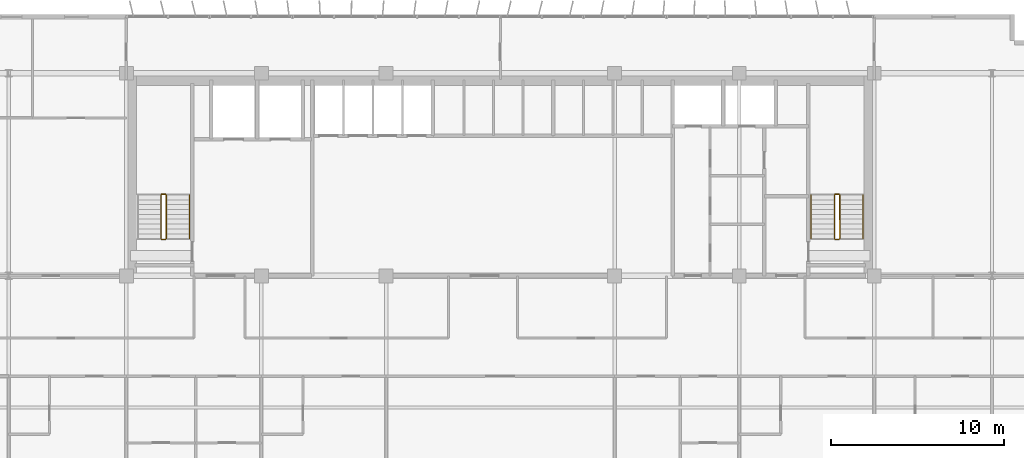
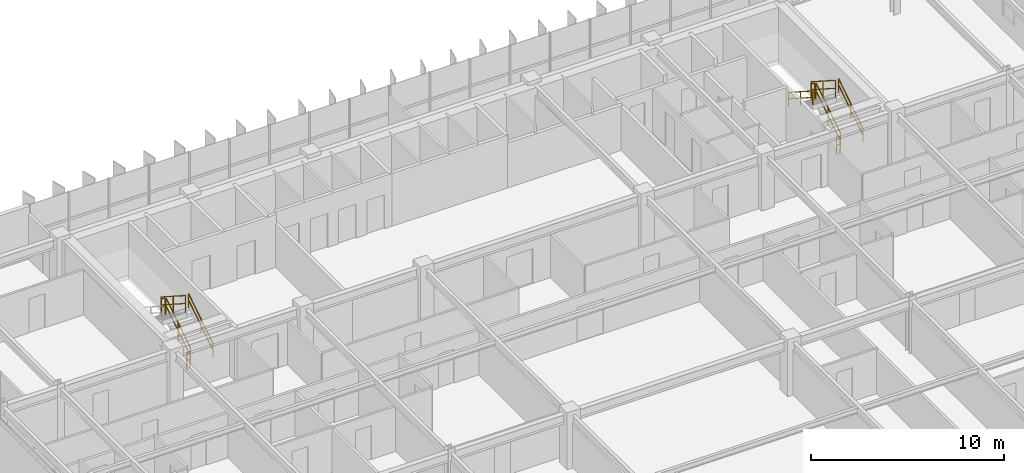
# One storey, part 21 of 22: 11 railings.
"""IFC4 building model written with IfcOpenShell, lengths in metres."""

import ifcopenshell
import ifcopenshell.guid

model = None  # the IFC model being written
_history = None  # IfcOwnerHistory: only IFC2X3 demands one
_inside = {}  # id of a spatial element -> (the spatial element, [elements in it])
_under = {}  # id of a project, library or spatial element -> (it, [spatial elements below it])
_declared = {}  # id of a project -> (the project, [libraries it declares])
_typed = {}  # id of a type object -> (the type object, [elements of that type])
_made_of = {}  # id of a material, layer set ... -> (it, [elements and type objects made of it])


def new_model(schema):
    """Start an empty IFC model of exactly this schema.

    Asked for "IFC4X3", IfcOpenShell would pick the latest addendum, in which some entities
    have other attributes; the version numbers below select the first issue.
    IFC2X3 requires an IfcOwnerHistory on every rooted entity: one is made here for all.
    """
    global model, _history
    if schema == "IFC4X3":
        model = ifcopenshell.file(schema_version=(4, 3, 0, 0))
    else:
        model = ifcopenshell.file(schema=schema)
    _inside.clear()
    _under.clear()
    _declared.clear()
    _typed.clear()
    _made_of.clear()
    _history = None
    if model.schema == "IFC2X3":
        org = make("IfcOrganization", Name="unknown")
        user = make(
            "IfcPersonAndOrganization",
            ThePerson=make("IfcPerson", FamilyName="unknown"),
            TheOrganization=org,
        )
        app = make(
            "IfcApplication",
            ApplicationDeveloper=org,
            Version="unknown",
            ApplicationFullName="unknown",
            ApplicationIdentifier="unknown",
        )
        _history = make(
            "IfcOwnerHistory",
            OwningUser=user,
            OwningApplication=app,
            ChangeAction="ADDED",
            CreationDate=0,
        )
    return model


def make(cls, **values):
    """One entity of the class cls with the attributes given. An attribute that is None is left unset."""
    return model.create_entity(
        cls, **{name: value for name, value in values.items() if value is not None}
    )


def rooted(cls, **values):
    """An entity with a GlobalId (a new one), such as an element, a storey or a relation."""
    return make(cls, GlobalId=ifcopenshell.guid.new(), OwnerHistory=_history, **values)


def si_unit(unit_type, name, prefix=None):
    """IfcSIUnit, for example si_unit("LENGTHUNIT", "METRE", prefix="MILLI")."""
    return make("IfcSIUnit", UnitType=unit_type, Prefix=prefix, Name=name)


def assignment(units):
    """IfcUnitAssignment: the units of a project."""
    return None if units is None else make("IfcUnitAssignment", Units=units)


def point(xyz):
    """IfcCartesianPoint."""
    return None if xyz is None else make("IfcCartesianPoint", Coordinates=xyz)


def direction(xyz):
    """IfcDirection."""
    return None if xyz is None else make("IfcDirection", DirectionRatios=xyz)


def frame(location, z_axis=None, x_axis=None):
    """IfcAxis2Placement3D, a coordinate frame: its origin and axes. An axis left out is left unset."""
    return make(
        "IfcAxis2Placement3D",
        Location=point(location),
        Axis=direction(z_axis),
        RefDirection=direction(x_axis),
    )


def frame_2d(location, x_axis=None):
    """IfcAxis2Placement2D, a coordinate frame in the plane: its origin and x axis."""
    return make(
        "IfcAxis2Placement2D", Location=point(location), RefDirection=direction(x_axis)
    )


def origin():
    """The frame at (0, 0, 0) with its axes left unset."""
    return frame((0.0, 0.0, 0.0))


def origin_2d():
    """The frame at (0, 0) in the plane with its x axis left unset."""
    return frame_2d((0.0, 0.0))


def place(relative_to, where):
    """IfcLocalPlacement: puts the frame where relative to a parent placement (None: the world)."""
    return make(
        "IfcLocalPlacement", PlacementRelTo=relative_to, RelativePlacement=where
    )


def context(
    kind, dimensions, precision=None, world=None, true_north=None, identifier=None
):
    """IfcGeometricRepresentationContext, for example the 3D "Model" context."""
    return make(
        "IfcGeometricRepresentationContext",
        ContextIdentifier=identifier,
        ContextType=kind,
        CoordinateSpaceDimension=dimensions,
        Precision=precision,
        WorldCoordinateSystem=world,
        TrueNorth=true_north,
    )


def subcontext(parent, identifier, kind, view, scale=None):
    """IfcGeometricRepresentationSubContext, for example "Body" below "Model"."""
    return make(
        "IfcGeometricRepresentationSubContext",
        ContextIdentifier=identifier,
        ContextType=kind,
        ParentContext=parent,
        TargetScale=scale,
        TargetView=view,
    )


def project(units=None, contexts=None):
    """IfcProject with its units and contexts."""
    return rooted(
        "IfcProject",
        Name="project",
        RepresentationContexts=contexts,
        UnitsInContext=assignment(units),
    )


def spatial(cls, under=None, at=None, **own):
    """A site, building, storey or space (cls), placed at a placement, below another one or the project."""
    s = rooted(cls, ObjectPlacement=at, **own)
    if under is not None:
        _under.setdefault(under.id(), (under, []))[1].append(s)
    return s


def profile(cls, at=None, kind="AREA", **sizes):
    """A parametric profile (cls). Its sizes go by their IFC names, for example OverallWidth=200.0."""
    return make(cls, ProfileType=kind, Position=at, **sizes)


def rectangle(**sizes):
    """IfcRectangleProfileDef."""
    return profile("IfcRectangleProfileDef", **sizes)


def extrude(swept, where, along, depth):
    """IfcExtrudedAreaSolid: the profile swept, set in the frame where, extruded along a direction by depth."""
    return make(
        "IfcExtrudedAreaSolid",
        SweptArea=swept,
        Position=where,
        ExtrudedDirection=direction(along),
        Depth=depth,
    )


def shape(context_of_items, identifier, shape_type, items):
    """IfcShapeRepresentation: the items that make up one representation, for example the "Body"."""
    return make(
        "IfcShapeRepresentation",
        ContextOfItems=context_of_items,
        RepresentationIdentifier=identifier,
        RepresentationType=shape_type,
        Items=items,
    )


def material(Name=None, Category=None):
    """IfcMaterial."""
    return make("IfcMaterial", Name=Name, Category=Category)


def made_of(thing, what):
    """Note that an element or type object is made of a material, layer set ...; save() writes the relation."""
    if what is not None:
        _made_of.setdefault(what.id(), (what, []))[1].append(thing)
    return thing


def type_object(cls, material=None, **own):
    """A type object (cls), such as IfcWallType, which elements share."""
    return made_of(rooted(cls, **own), material)


def element(
    cls,
    number,
    at=None,
    inside=None,
    cuts=None,
    type_object=None,
    material=None,
    context=None,
    identifier="Body",
    shape_type=None,
    held_by="IfcProductDefinitionShape",
    body=None,
    shapes=None,
    **own,
):
    """One element of the class cls, such as IfcWall. Its Tag is "e" and its number.

    at: its placement. inside: the storey or other place that contains it. cuts: it is an
    opening in that element (IfcRelVoidsElement). A single representation is given by context,
    identifier, shape_type and body (its items); several are given by shapes. held_by: the class
    of the entity that holds the representations. save() writes the other relations.
    """
    e = rooted(cls, Tag="e%d" % number, ObjectPlacement=at, **own)
    if body is not None:
        shapes = [shape(context, identifier, shape_type, body)]
    if shapes is not None:
        e.Representation = make(held_by, Representations=shapes)
    if inside is not None:
        _inside.setdefault(inside.id(), (inside, []))[1].append(e)
    if cuts is not None:
        rooted(
            "IfcRelVoidsElement", RelatingBuildingElement=cuts, RelatedOpeningElement=e
        )
    if type_object is not None:
        _typed.setdefault(type_object.id(), (type_object, []))[1].append(e)
    return made_of(e, material)


def aggregate(whole, parts):
    """IfcRelAggregates: a whole, such as a stair, and the parts it consists of."""
    return rooted("IfcRelAggregates", RelatingObject=whole, RelatedObjects=parts)


def save(model, path):
    """Write the relations noted so far, then the file.

    IfcRelAggregates (storeys below a building ...), IfcRelContainedInSpatialStructure (elements
    in a storey), IfcRelDefinesByType, IfcRelAssociatesMaterial and IfcRelDeclares: one each for
    every whole, place, type object, material and project.
    """
    for whole, parts in _under.values():
        aggregate(whole, parts)
    for where, things in _inside.values():
        rooted(
            "IfcRelContainedInSpatialStructure",
            RelatedElements=things,
            RelatingStructure=where,
        )
    for kind, things in _typed.values():
        rooted("IfcRelDefinesByType", RelatedObjects=things, RelatingType=kind)
    for what, things in _made_of.values():
        rooted("IfcRelAssociatesMaterial", RelatedObjects=things, RelatingMaterial=what)
    for by, libraries in _declared.values():
        rooted("IfcRelDeclares", RelatingContext=by, RelatedDefinitions=libraries)
    model.write(path)


model = new_model("IFC4")

# Units and contexts
model_context = context("Model", 3, precision=1e-05, world=origin(), true_north=direction((0.0, 1.0)))
body_context = subcontext(model_context, "Body", "Model", "MODEL_VIEW")
ifc_project = project(units=[si_unit("LENGTHUNIT", "METRE"), si_unit("AREAUNIT", "SQUARE_METRE"), si_unit("VOLUMEUNIT", "CUBIC_METRE"), si_unit("PLANEANGLEUNIT", "RADIAN"), si_unit("MASSUNIT", "GRAM", prefix="KILO")], contexts=[model_context])

# Site, building, storey
site_placement = place(None, origin())
site = spatial("IfcSite", under=ifc_project, at=site_placement, CompositionType="ELEMENT")
building_placement = place(site_placement, origin())
building = spatial("IfcBuilding", under=site, at=building_placement, Name="Trelvane Seafront Commons", CompositionType="ELEMENT")
storey_placement = place(building_placement, frame((0.0, 0.0, 99.699951171875)))
storey = spatial("IfcBuildingStorey", under=building, at=storey_placement, Name="L25", CompositionType="ELEMENT", Elevation=99.699951171875)

# Railings
ifc_material = material(Name="Stainless steel balustrade", Category="steel")
railing_type_1 = type_object("IfcRailingType", Name="ARCH-SRL-GUARD", PredefinedType="GUARDRAIL", material=ifc_material)
railing_1_placement = place(storey_placement, frame((17.89990234375, 35.550048828125, 0.179931640625)))
element("IfcRailing", 1, at=railing_1_placement, inside=storey, type_object=railing_type_1, Name="L25 ST-1 stair guard 1", PredefinedType="GUARDRAIL", context=body_context, shape_type="SweptSolid", body=[
    extrude(rectangle(XDim=0.048095703125, YDim=0.048095703125, at=origin_2d()), frame((0.0, 0.0, 1.076171875), z_axis=(0.0, 0.841162588446, 0.540782303519), x_axis=(-1.0, 0.0, 0.0)), (0.0, 0.0, 1.0), 2.995849609375),
    extrude(rectangle(XDim=0.048095703125, YDim=0.048095703125, at=origin_2d()), frame((0.0, 0.0, 0.572021484375), z_axis=(0.0, 0.841162588446, 0.540782303519), x_axis=(-1.0, 0.0, 0.0)), (0.0, 0.0, 1.0), 2.995849609375),
    extrude(rectangle(XDim=0.0419921875, YDim=0.0419921875, at=origin_2d()), origin(), (0.0, 0.0, 1.0), 1.076171875),
    extrude(rectangle(XDim=0.0419921875, YDim=0.0419921875, at=origin_2d()), frame((0.0, 1.260009765625, 0.81005859375)), (0.0, 0.0, 1.0), 1.076171875),
    extrude(rectangle(XDim=0.0419921875, YDim=0.0419921875, at=origin_2d()), frame((0.0, 2.52001953125, 1.6201171875)), (0.0, 0.0, 1.0), 1.076171875),
])
railing_2_placement = place(storey_placement, frame((17.85009765625, 38.1201171875, 1.800048828125)))
element("IfcRailing", 2, at=railing_2_placement, inside=storey, type_object=railing_type_1, Name="L25 ST-1 stair guard 2", PredefinedType="GUARDRAIL", context=body_context, shape_type="SweptSolid", body=[
    extrude(rectangle(XDim=0.048095703125, YDim=0.048095703125, at=origin_2d()), frame((0.0, 0.0, 1.076171875), z_axis=(-1.0, 0.0, 0.0), x_axis=(0.0, -1.0, 0.0)), (0.0, 0.0, 1.0), 0.2001953125),
    extrude(rectangle(XDim=0.048095703125, YDim=0.048095703125, at=origin_2d()), frame((0.0, 0.0, 0.572021484375), z_axis=(-1.0, 0.0, 0.0), x_axis=(0.0, -1.0, 0.0)), (0.0, 0.0, 1.0), 0.2001953125),
    extrude(rectangle(XDim=0.0419921875, YDim=0.0419921875, at=origin_2d()), origin(), (0.0, 0.0, 1.0), 1.076171875),
    extrude(rectangle(XDim=0.0419921875, YDim=0.0419921875, at=origin_2d()), frame((-0.2001953125, 0.0, 0.0)), (0.0, 0.0, 1.0), 1.076171875),
])
railing_3_placement = place(storey_placement, frame((17.60009765625, 38.070068359375, 1.97998046875)))
element("IfcRailing", 3, at=railing_3_placement, inside=storey, type_object=railing_type_1, Name="L25 ST-1 stair guard 3", PredefinedType="GUARDRAIL", context=body_context, shape_type="SweptSolid", body=[
    extrude(rectangle(XDim=0.048095703125, YDim=0.048095703125, at=origin_2d()), frame((0.0, 0.0, 1.076171875), z_axis=(0.0, -0.841162588446, 0.540782303519), x_axis=(1.0, 0.0, 0.0)), (0.0, 0.0, 1.0), 2.995849609375),
    extrude(rectangle(XDim=0.048095703125, YDim=0.048095703125, at=origin_2d()), frame((0.0, 0.0, 0.572021484375), z_axis=(0.0, -0.841162588446, 0.540782303519), x_axis=(1.0, 0.0, 0.0)), (0.0, 0.0, 1.0), 2.995849609375),
    extrude(rectangle(XDim=0.0419921875, YDim=0.0419921875, at=origin_2d()), origin(), (0.0, 0.0, 1.0), 1.076171875),
    extrude(rectangle(XDim=0.0419921875, YDim=0.0419921875, at=origin_2d()), frame((0.0, -1.260009765625, 0.81005859375)), (0.0, 0.0, 1.0), 1.076171875),
    extrude(rectangle(XDim=0.0419921875, YDim=0.0419921875, at=origin_2d()), frame((0.0, -2.52001953125, 1.6201171875)), (0.0, 0.0, 1.0), 1.076171875),
])
railing_4_placement = place(storey_placement, frame((17.85009765625, 35.5, 0.0)))
element("IfcRailing", 4, at=railing_4_placement, inside=storey, type_object=railing_type_1, Name="L25 ST-1 stair guard 4", PredefinedType="GUARDRAIL", context=body_context, shape_type="SweptSolid", body=[
    extrude(rectangle(XDim=0.048095703125, YDim=0.048095703125, at=origin_2d()), frame((0.0, 0.0, 1.076171875), z_axis=(-1.0, 0.0, 0.0), x_axis=(0.0, -1.0, 0.0)), (0.0, 0.0, 1.0), 0.2001953125),
    extrude(rectangle(XDim=0.048095703125, YDim=0.048095703125, at=origin_2d()), frame((0.0, 0.0, 0.572021484375), z_axis=(-1.0, 0.0, 0.0), x_axis=(0.0, -1.0, 0.0)), (0.0, 0.0, 1.0), 0.2001953125),
    extrude(rectangle(XDim=0.0419921875, YDim=0.0419921875, at=origin_2d()), origin(), (0.0, 0.0, 1.0), 1.076171875),
    extrude(rectangle(XDim=0.0419921875, YDim=0.0419921875, at=origin_2d()), frame((-0.2001953125, 0.0, 0.0)), (0.0, 0.0, 1.0), 1.076171875),
])
railing_5_placement = place(storey_placement, frame((56.800048828125, 35.550048828125, 0.179931640625)))
element("IfcRailing", 5, at=railing_5_placement, inside=storey, type_object=railing_type_1, Name="L25 ST-2 stair guard 1", PredefinedType="GUARDRAIL", context=body_context, shape_type="SweptSolid", body=[
    extrude(rectangle(XDim=0.048095703125, YDim=0.048095703125, at=origin_2d()), frame((0.0, 0.0, 1.076171875), z_axis=(0.0, 0.841162588446, 0.540782303519), x_axis=(-1.0, 0.0, 0.0)), (0.0, 0.0, 1.0), 2.995849609375),
    extrude(rectangle(XDim=0.048095703125, YDim=0.048095703125, at=origin_2d()), frame((0.0, 0.0, 0.572021484375), z_axis=(0.0, 0.841162588446, 0.540782303519), x_axis=(-1.0, 0.0, 0.0)), (0.0, 0.0, 1.0), 2.995849609375),
    extrude(rectangle(XDim=0.0419921875, YDim=0.0419921875, at=origin_2d()), origin(), (0.0, 0.0, 1.0), 1.076171875),
    extrude(rectangle(XDim=0.0419921875, YDim=0.0419921875, at=origin_2d()), frame((0.0, 1.260009765625, 0.81005859375)), (0.0, 0.0, 1.0), 1.076171875),
    extrude(rectangle(XDim=0.0419921875, YDim=0.0419921875, at=origin_2d()), frame((0.0, 2.52001953125, 1.6201171875)), (0.0, 0.0, 1.0), 1.076171875),
])
railing_6_placement = place(storey_placement, frame((56.75, 38.1201171875, 1.800048828125)))
element("IfcRailing", 6, at=railing_6_placement, inside=storey, type_object=railing_type_1, Name="L25 ST-2 stair guard 2", PredefinedType="GUARDRAIL", context=body_context, shape_type="SweptSolid", body=[
    extrude(rectangle(XDim=0.048095703125, YDim=0.048095703125, at=origin_2d()), frame((0.0, 0.0, 1.076171875), z_axis=(-1.0, 0.0, 0.0), x_axis=(0.0, -1.0, 0.0)), (0.0, 0.0, 1.0), 0.199951171875),
    extrude(rectangle(XDim=0.048095703125, YDim=0.048095703125, at=origin_2d()), frame((0.0, 0.0, 0.572021484375), z_axis=(-1.0, 0.0, 0.0), x_axis=(0.0, -1.0, 0.0)), (0.0, 0.0, 1.0), 0.199951171875),
    extrude(rectangle(XDim=0.0419921875, YDim=0.0419921875, at=origin_2d()), origin(), (0.0, 0.0, 1.0), 1.076171875),
    extrude(rectangle(XDim=0.0419921875, YDim=0.0419921875, at=origin_2d()), frame((-0.199951171875, 0.0, 0.0)), (0.0, 0.0, 1.0), 1.076171875),
])
railing_7_placement = place(storey_placement, frame((56.5, 38.070068359375, 1.97998046875)))
element("IfcRailing", 7, at=railing_7_placement, inside=storey, type_object=railing_type_1, Name="L25 ST-2 stair guard 3", PredefinedType="GUARDRAIL", context=body_context, shape_type="SweptSolid", body=[
    extrude(rectangle(XDim=0.048095703125, YDim=0.048095703125, at=origin_2d()), frame((0.0, 0.0, 1.076171875), z_axis=(0.0, -0.841162588446, 0.540782303519), x_axis=(1.0, 0.0, 0.0)), (0.0, 0.0, 1.0), 2.995849609375),
    extrude(rectangle(XDim=0.048095703125, YDim=0.048095703125, at=origin_2d()), frame((0.0, 0.0, 0.572021484375), z_axis=(0.0, -0.841162588446, 0.540782303519), x_axis=(1.0, 0.0, 0.0)), (0.0, 0.0, 1.0), 2.995849609375),
    extrude(rectangle(XDim=0.0419921875, YDim=0.0419921875, at=origin_2d()), origin(), (0.0, 0.0, 1.0), 1.076171875),
    extrude(rectangle(XDim=0.0419921875, YDim=0.0419921875, at=origin_2d()), frame((0.0, -1.260009765625, 0.81005859375)), (0.0, 0.0, 1.0), 1.076171875),
    extrude(rectangle(XDim=0.0419921875, YDim=0.0419921875, at=origin_2d()), frame((0.0, -2.52001953125, 1.6201171875)), (0.0, 0.0, 1.0), 1.076171875),
])
railing_8_placement = place(storey_placement, frame((56.75, 35.5, 0.0)))
element("IfcRailing", 8, at=railing_8_placement, inside=storey, type_object=railing_type_1, Name="L25 ST-2 stair guard 4", PredefinedType="GUARDRAIL", context=body_context, shape_type="SweptSolid", body=[
    extrude(rectangle(XDim=0.048095703125, YDim=0.048095703125, at=origin_2d()), frame((0.0, 0.0, 1.076171875), z_axis=(-1.0, 0.0, 0.0), x_axis=(0.0, -1.0, 0.0)), (0.0, 0.0, 1.0), 0.199951171875),
    extrude(rectangle(XDim=0.048095703125, YDim=0.048095703125, at=origin_2d()), frame((0.0, 0.0, 0.572021484375), z_axis=(-1.0, 0.0, 0.0), x_axis=(0.0, -1.0, 0.0)), (0.0, 0.0, 1.0), 0.199951171875),
    extrude(rectangle(XDim=0.0419921875, YDim=0.0419921875, at=origin_2d()), origin(), (0.0, 0.0, 1.0), 1.076171875),
    extrude(rectangle(XDim=0.0419921875, YDim=0.0419921875, at=origin_2d()), frame((-0.199951171875, 0.0, 0.0)), (0.0, 0.0, 1.0), 1.076171875),
])
railing_type_2 = type_object("IfcRailingType", Name="ARCH-SRL-HAND", PredefinedType="HANDRAIL", material=ifc_material)
for number, where, name in (
    (9, (19.25, 35.550048828125, 0.179931640625), "L25 ST-1 stair handrail 1"),
    (10, (58.14990234375, 35.550048828125, 0.179931640625), "L25 ST-2 stair handrail 1"),
):
    element("IfcRailing", number, at=place(storey_placement, frame(where)), inside=storey, type_object=railing_type_2, Name=name, PredefinedType="HANDRAIL", context=body_context, shape_type="SweptSolid", body=[
        extrude(rectangle(XDim=0.048095703125, YDim=0.048095703125, at=origin_2d()), frame((0.0, 0.0, 0.8759765625), z_axis=(0.0, 0.841162588446, 0.540782303519), x_axis=(-1.0, 0.0, 0.0)), (0.0, 0.0, 1.0), 2.995849609375),
        extrude(rectangle(XDim=0.048095703125, YDim=0.048095703125, at=origin_2d()), frame((0.0, 0.0, 0.468017578125), z_axis=(0.0, 0.841162588446, 0.540782303519), x_axis=(-1.0, 0.0, 0.0)), (0.0, 0.0, 1.0), 2.995849609375),
        extrude(rectangle(XDim=0.0419921875, YDim=0.0419921875, at=origin_2d()), origin(), (0.0, 0.0, 1.0), 0.8759765625),
        extrude(rectangle(XDim=0.0419921875, YDim=0.0419921875, at=origin_2d()), frame((0.0, 1.260009765625, 0.81005859375)), (0.0, 0.0, 1.0), 0.8759765625),
        extrude(rectangle(XDim=0.0419921875, YDim=0.0419921875, at=origin_2d()), frame((0.0, 2.52001953125, 1.6201171875)), (0.0, 0.0, 1.0), 0.8759765625),
    ])
railing_9_placement = place(storey_placement, frame((55.14990234375, 38.070068359375, 1.97998046875)))
element("IfcRailing", 11, at=railing_9_placement, inside=storey, type_object=railing_type_2, Name="L25 ST-2 stair handrail 2", PredefinedType="HANDRAIL", context=body_context, shape_type="SweptSolid", body=[
    extrude(rectangle(XDim=0.048095703125, YDim=0.048095703125, at=origin_2d()), frame((0.0, 0.0, 0.8759765625), z_axis=(0.0, -0.841162588446, 0.540782303519), x_axis=(1.0, 0.0, 0.0)), (0.0, 0.0, 1.0), 2.995849609375),
    extrude(rectangle(XDim=0.048095703125, YDim=0.048095703125, at=origin_2d()), frame((0.0, 0.0, 0.468017578125), z_axis=(0.0, -0.841162588446, 0.540782303519), x_axis=(1.0, 0.0, 0.0)), (0.0, 0.0, 1.0), 2.995849609375),
    extrude(rectangle(XDim=0.0419921875, YDim=0.0419921875, at=origin_2d()), origin(), (0.0, 0.0, 1.0), 0.8759765625),
    extrude(rectangle(XDim=0.0419921875, YDim=0.0419921875, at=origin_2d()), frame((0.0, -1.260009765625, 0.81005859375)), (0.0, 0.0, 1.0), 0.8759765625),
    extrude(rectangle(XDim=0.0419921875, YDim=0.0419921875, at=origin_2d()), frame((0.0, -2.52001953125, 1.6201171875)), (0.0, 0.0, 1.0), 0.8759765625),
])

save(model, "model.ifc")
